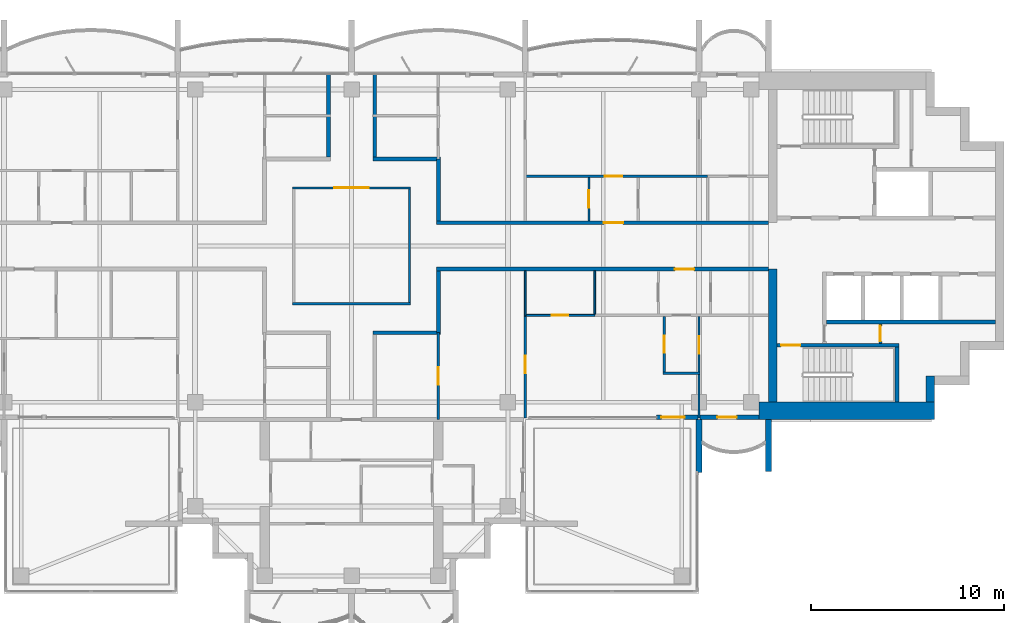
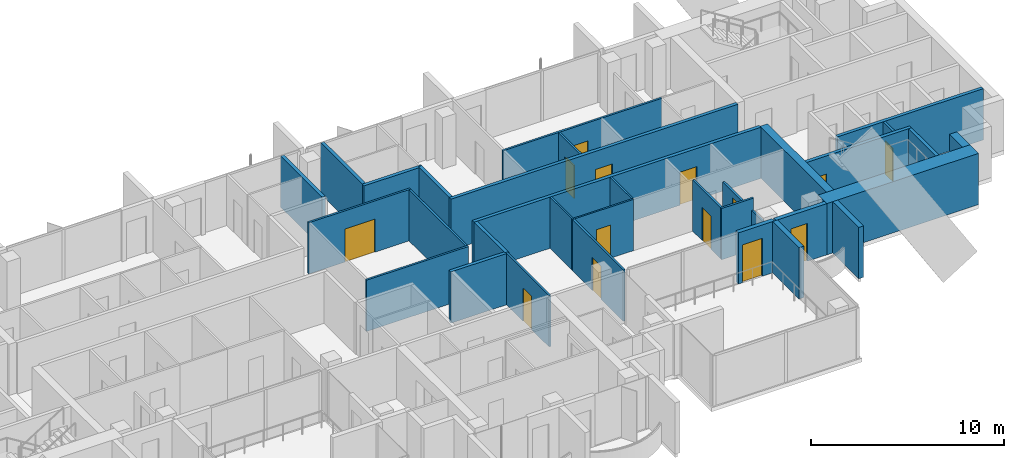
# One storey, part 10 of 16: 32 walls, 14 doors, 14 openings.
"""IFC4 building model written with IfcOpenShell, lengths in metres."""

from ifc_helpers import new_model, si_unit, direction, frame, frame_2d, origin, place, context, subcontext, project, spatial, rectangle, extrude, material, layer, layer_set, type_object, element, fill, save


model = new_model("IFC4")

# Units and contexts
model_context = context("Model", 3, precision=1e-05, world=origin(), true_north=direction((0.0, 1.0)))
body_context = subcontext(model_context, "Body", "Model", "MODEL_VIEW")
ifc_project = project(units=[si_unit("LENGTHUNIT", "METRE"), si_unit("AREAUNIT", "SQUARE_METRE"), si_unit("VOLUMEUNIT", "CUBIC_METRE"), si_unit("PLANEANGLEUNIT", "RADIAN"), si_unit("MASSUNIT", "GRAM", prefix="KILO")], contexts=[model_context])

# Site, building, storey
site_placement = place(None, origin())
site = spatial("IfcSite", under=ifc_project, at=site_placement, CompositionType="ELEMENT")
building_placement = place(site_placement, origin())
building = spatial("IfcBuilding", under=site, at=building_placement, Name="Perihelion Cross Residences", CompositionType="ELEMENT")
storey_placement = place(building_placement, frame((0.0, 0.0, 260.5)))
storey = spatial("IfcBuildingStorey", under=building, at=storey_placement, Name="L66", CompositionType="ELEMENT", Elevation=260.5)

# Wall, opening, door
ifc_material_1 = material(Name="Plasterboard partition")
ifc_layer_1 = layer(ifc_material_1, 0.199951171875)
ifc_layer_set_1 = layer_set([ifc_layer_1], Name="Apartment separation wall 200")
wall_type_1 = type_object("IfcWallType", Name="Apartment separation wall 200", PredefinedType="PARTITIONING", material=ifc_layer_set_1)
wall_1_placement = place(storey_placement, frame((4.39990234375, 1.199951171875, 0.0), z_axis=(0.0, 0.0, 1.0), x_axis=(1.0, 0.0, 0.0)))
wall_1 = element("IfcWall", 1, at=wall_1_placement, inside=storey, type_object=wall_type_1, Name="Partition L66 W005", PredefinedType="PARTITIONING", context=body_context, shape_type="SweptSolid", body=[
    extrude(rectangle(XDim=17.2001953125, YDim=0.199951171875, at=frame_2d((8.60009765625, 0.0))), origin(), (0.0, 0.0, 1.0), 3.25),
])
opening_1_placement = place(wall_1_placement, frame((8.675048828125, 0.0, 0.0)))
opening_1 = element("IfcOpeningElement", 2, at=opening_1_placement, cuts=wall_1, Name="Opening L66.A40", PredefinedType="OPENING", context=body_context, shape_type="SweptSolid", body=[
    extrude(rectangle(XDim=1.0, YDim=2.10009765625, at=frame_2d((0.5, 1.050048828125))), frame((0.0, 0.10986328125, 0.0), z_axis=(0.0, -1.0, 0.0), x_axis=(1.0, 0.0, 0.0)), (0.0, 0.0, 1.0), 0.219970703125),
])
ifc_material_2 = material(Name="Timber door leaf", Category="wood")
door_type_1 = type_object("IfcDoorType", Name="Flat entrance door 1000 x 2100", OperationType="SINGLE_SWING_LEFT", PredefinedType="DOOR", material=ifc_material_2)
door_1_placement = place(opening_1_placement, origin())
door_1 = element("IfcDoor", 3, at=door_1_placement, inside=storey, type_object=door_type_1, Name="Door L66.A40", OperationType="SINGLE_SWING_LEFT", OverallHeight=2.10009765625, OverallWidth=1.0, PredefinedType="DOOR", context=body_context, shape_type="SweptSolid", body=[
    extrude(rectangle(XDim=1.0, YDim=2.10009765625, at=frame_2d((0.5, 1.050048828125))), frame((0.0, 0.02490234375, 0.0), z_axis=(0.0, -1.0, 0.0), x_axis=(1.0, 0.0, 0.0)), (0.0, 0.0, 1.0), 0.050048828125),
])
fill(opening_1, door_1)

# Walls
wall_2_placement = place(storey_placement, frame((4.5, 4.5, 0.0), z_axis=(0.0, 0.0, 1.0), x_axis=(0.0, -1.0, 0.0)))
element("IfcWall", 4, at=wall_2_placement, inside=storey, type_object=wall_type_1, Name="Partition L66 W006", PredefinedType="PARTITIONING", context=body_context, shape_type="SweptSolid", body=[
    extrude(rectangle(XDim=3.199951171875, YDim=0.199951171875, at=frame_2d((1.60009765625, 0.0))), origin(), (0.0, 0.0, 1.0), 3.25),
])
wall_3_placement = place(storey_placement, frame((1.199951171875, 8.919921875, 0.0), z_axis=(0.0, 0.0, 1.0), x_axis=(0.0, -1.0, 0.0)))
element("IfcWall", 5, at=wall_3_placement, inside=storey, type_object=wall_type_1, Name="Partition L66 W007", PredefinedType="PARTITIONING", context=body_context, shape_type="SweptSolid", body=[
    extrude(rectangle(XDim=4.31982421875, YDim=0.199951171875, at=frame_2d((2.159912109375, 0.0))), origin(), (0.0, 0.0, 1.0), 3.25),
])
wall_4_placement = place(storey_placement, frame((1.10009765625, 4.5, 0.0), z_axis=(0.0, 0.0, 1.0), x_axis=(1.0, 0.0, 0.0)))
element("IfcWall", 6, at=wall_4_placement, inside=storey, type_object=wall_type_1, Name="Partition L66 W008", PredefinedType="PARTITIONING", context=body_context, shape_type="SweptSolid", body=[
    extrude(rectangle(XDim=3.5, YDim=0.199951171875, at=frame_2d((1.75, 0.0))), origin(), (0.0, 0.0, 1.0), 3.25),
])

# Wall, opening, door
wall_5_placement = place(storey_placement, frame((21.60009765625, -1.199951171875, 0.0), z_axis=(0.0, 0.0, 1.0), x_axis=(-1.0, 0.0, 0.0)))
wall_5 = element("IfcWall", 7, at=wall_5_placement, inside=storey, type_object=wall_type_1, Name="Partition L66 W009", PredefinedType="PARTITIONING", context=body_context, shape_type="SweptSolid", body=[
    extrude(rectangle(XDim=17.2001953125, YDim=0.199951171875, at=frame_2d((8.60009765625, 0.0))), origin(), (0.0, 0.0, 1.0), 3.25),
])
opening_2_placement = place(wall_5_placement, frame((3.85009765625, 0.0, 0.0)))
opening_2 = element("IfcOpeningElement", 8, at=opening_2_placement, cuts=wall_5, Name="Opening L66.A41", PredefinedType="OPENING", context=body_context, shape_type="SweptSolid", body=[
    extrude(rectangle(XDim=1.0, YDim=2.10009765625, at=frame_2d((0.5, 1.050048828125))), frame((0.0, 0.10986328125, 0.0), z_axis=(0.0, -1.0, 0.0), x_axis=(1.0, 0.0, 0.0)), (0.0, 0.0, 1.0), 0.219970703125),
])
door_2_placement = place(opening_2_placement, origin())
door_2 = element("IfcDoor", 9, at=door_2_placement, inside=storey, type_object=door_type_1, Name="Door L66.A41", OperationType="SINGLE_SWING_LEFT", OverallHeight=2.10009765625, OverallWidth=1.0, PredefinedType="DOOR", context=body_context, shape_type="SweptSolid", body=[
    extrude(rectangle(XDim=1.0, YDim=2.10009765625, at=frame_2d((0.5, 1.050048828125))), frame((0.0, 0.02490234375, 0.0), z_axis=(0.0, -1.0, 0.0), x_axis=(1.0, 0.0, 0.0)), (0.0, 0.0, 1.0), 0.050048828125),
])
fill(opening_2, door_2)

# Walls
wall_6_placement = place(storey_placement, frame((4.5, -1.300048828125, 0.0), z_axis=(0.0, 0.0, 1.0), x_axis=(0.0, -1.0, 0.0)))
element("IfcWall", 10, at=wall_6_placement, inside=storey, type_object=wall_type_1, Name="Partition L66 W010", PredefinedType="PARTITIONING", context=body_context, shape_type="SweptSolid", body=[
    extrude(rectangle(XDim=3.199951171875, YDim=0.199951171875, at=frame_2d((1.60009765625, 0.0))), origin(), (0.0, 0.0, 1.0), 3.25),
])
wall_7_placement = place(storey_placement, frame((4.60009765625, -4.5, 0.0), z_axis=(0.0, 0.0, 1.0), x_axis=(-1.0, 0.0, 0.0)))
element("IfcWall", 11, at=wall_7_placement, inside=storey, type_object=wall_type_1, Name="Partition L66 W011", PredefinedType="PARTITIONING", context=body_context, shape_type="SweptSolid", body=[
    extrude(rectangle(XDim=3.5, YDim=0.199951171875, at=frame_2d((1.75, 0.0))), origin(), (0.0, 0.0, 1.0), 3.25),
])
wall_8_placement = place(storey_placement, frame((-1.199951171875, 4.60009765625, 0.0), z_axis=(0.0, 0.0, 1.0), x_axis=(0.0, 1.0, 0.0)))
element("IfcWall", 12, at=wall_8_placement, inside=storey, type_object=wall_type_1, Name="Partition L66 W016", PredefinedType="PARTITIONING", context=body_context, shape_type="SweptSolid", body=[
    extrude(rectangle(XDim=4.31982421875, YDim=0.199951171875, at=frame_2d((2.159912109375, 0.0))), origin(), (0.0, 0.0, 1.0), 3.25),
])

# Wall, opening, door
ifc_material_3 = material(Name="Concrete C30/37, bronze-clad", Category="concrete")
ifc_layer_2 = layer(ifc_material_3, 0.25)
ifc_layer_set_2 = layer_set([ifc_layer_2], Name="Bronze-clad pier wall 250")
wall_type_2 = type_object("IfcWallType", Name="Bronze-clad pier wall 250", PredefinedType="SOLIDWALL", material=ifc_layer_set_2)
wall_9_placement = place(storey_placement, frame((15.800048828125, -8.875, 0.0), z_axis=(0.0, 0.0, 1.0), x_axis=(1.0, 0.0, 0.0)))
wall_9 = element("IfcWall", 13, at=wall_9_placement, inside=storey, type_object=wall_type_2, Name="Wall FW1 L66 east side south bay 1 pier", PredefinedType="SOLIDWALL", context=body_context, shape_type="SweptSolid", body=[
    extrude(rectangle(XDim=2.139892578125, YDim=0.25, at=frame_2d((1.06982421875, 0.0))), origin(), (0.0, 0.0, 1.0), 3.25),
])
opening_3_placement = place(wall_9_placement, frame((0.25, 0.0, 0.0)))
opening_3 = element("IfcOpeningElement", 14, at=opening_3_placement, cuts=wall_9, Name="Opening L66.E13", PredefinedType="OPENING", context=body_context, shape_type="SweptSolid", body=[
    extrude(rectangle(XDim=1.199951171875, YDim=2.39990234375, at=frame_2d((0.60009765625, 1.199951171875))), frame((0.0, 0.135009765625, 0.0), z_axis=(0.0, -1.0, 0.0), x_axis=(1.0, 0.0, 0.0)), (0.0, 0.0, 1.0), 0.27001953125),
])
ifc_material_4 = material(Name="Bronze anodised aluminium, glazed", Category="aluminium")
door_type_2 = type_object("IfcDoorType", Name="Balcony door 1200 x 2400", OperationType="NOTDEFINED", PredefinedType="DOOR", material=ifc_material_4)
door_3_placement = place(opening_3_placement, origin())
door_3 = element("IfcDoor", 15, at=door_3_placement, inside=storey, type_object=door_type_2, Name="Door L66.E13 east side south bay 1", OperationType="SINGLE_SWING_LEFT", OverallHeight=2.39990234375, OverallWidth=1.199951171875, PredefinedType="DOOR", context=body_context, shape_type="SweptSolid", body=[
    extrude(rectangle(XDim=1.199951171875, YDim=2.39990234375, at=frame_2d((0.60009765625, 1.199951171875))), frame((0.0, 0.02490234375, 0.0), z_axis=(0.0, -1.0, 0.0), x_axis=(1.0, 0.0, 0.0)), (0.0, 0.0, 1.0), 0.050048828125),
])
fill(opening_3, door_3)

wall_10_placement = place(storey_placement, frame((18.06005859375, -8.875, 0.0), z_axis=(0.0, 0.0, 1.0), x_axis=(1.0, 0.0, 0.0)))
wall_10 = element("IfcWall", 16, at=wall_10_placement, inside=storey, type_object=wall_type_2, Name="Wall FW1 L66 east side south bay 2 pier", PredefinedType="SOLIDWALL", context=body_context, shape_type="SweptSolid", body=[
    extrude(rectangle(XDim=3.0400390625, YDim=0.25, at=frame_2d((1.52001953125, 0.0))), origin(), (0.0, 0.0, 1.0), 3.25),
])
opening_4_placement = place(wall_10_placement, frame((0.889892578125, 0.0, 0.0)))
opening_4 = element("IfcOpeningElement", 17, at=opening_4_placement, cuts=wall_10, Name="Opening L66.E14", PredefinedType="OPENING", context=body_context, shape_type="SweptSolid", body=[
    extrude(rectangle(XDim=1.0, YDim=2.39990234375, at=frame_2d((0.5, 1.199951171875))), frame((0.0, 0.135009765625, 0.0), z_axis=(0.0, -1.0, 0.0), x_axis=(1.0, 0.0, 0.0)), (0.0, 0.0, 1.0), 0.27001953125),
])
ifc_material_5 = material(Name="Bronze anodised aluminium, glazed", Category="aluminium")
door_type_3 = type_object("IfcDoorType", Name="Balcony door 1000 x 2400", OperationType="NOTDEFINED", PredefinedType="DOOR", material=ifc_material_5)
door_4_placement = place(opening_4_placement, origin())
door_4 = element("IfcDoor", 18, at=door_4_placement, inside=storey, type_object=door_type_3, Name="Door L66.E14 east side south bay 2", OperationType="SINGLE_SWING_RIGHT", OverallHeight=2.39990234375, OverallWidth=1.0, PredefinedType="DOOR", context=body_context, shape_type="SweptSolid", body=[
    extrude(rectangle(XDim=1.0, YDim=2.39990234375, at=frame_2d((0.5, 1.199951171875))), frame((0.0, 0.02490234375, 0.0), z_axis=(0.0, -1.0, 0.0), x_axis=(1.0, 0.0, 0.0)), (0.0, 0.0, 1.0), 0.050048828125),
])
fill(opening_4, door_4)

# Walls
ifc_material_6 = material(Name="Concrete C60/75", Category="concrete")
ifc_layer_3 = layer(ifc_material_6, 0.449951171875)
ifc_layer_set_3 = layer_set([ifc_layer_3], Name="Core wall, inner 450")
wall_type_3 = type_object("IfcWallType", Name="Core wall, inner 450", PredefinedType="SHEAR", material=ifc_layer_set_3)
wall_11_placement = place(storey_placement, frame((21.824951171875, -8.10009765625, 0.0), z_axis=(0.0, 0.0, 1.0), x_axis=(0.0, 1.0, 0.0)))
element("IfcWall", 19, at=wall_11_placement, inside=storey, type_object=wall_type_3, Name="East core core wall, inner", PredefinedType="SHEAR", context=body_context, shape_type="SweptSolid", body=[
    extrude(rectangle(XDim=6.900146484375, YDim=0.449951171875, at=frame_2d((3.4501953125, 0.0))), origin(), (0.0, 0.0, 1.0), 3.25),
])
ifc_material_7 = material(Name="Concrete C60/75", Category="concrete")
ifc_layer_4 = layer(ifc_material_7, 0.449951171875)
ifc_layer_set_4 = layer_set([ifc_layer_4], Name="Core wall, outer 450")
wall_type_4 = type_object("IfcWallType", Name="Core wall, outer 450", PredefinedType="SHEAR", material=ifc_layer_set_4)
wall_12_placement = place(storey_placement, frame((29.97509765625, -8.10009765625, 0.0), z_axis=(0.0, 0.0, 1.0), x_axis=(0.0, 1.0, 0.0)))
element("IfcWall", 20, at=wall_12_placement, inside=storey, type_object=wall_type_4, Name="East core core wall, outer", PredefinedType="SHEAR", context=body_context, shape_type="SweptSolid", body=[
    extrude(rectangle(XDim=1.35009765625, YDim=0.449951171875, at=frame_2d((0.675048828125, 0.0))), origin(), (0.0, 0.0, 1.0), 3.25),
])
ifc_material_8 = material(Name="Concrete C60/75", Category="concrete")
ifc_layer_5 = layer(ifc_material_8, 0.89990234375)
ifc_layer_set_5 = layer_set([ifc_layer_5], Name="Core wall, outer 900")
wall_type_5 = type_object("IfcWallType", Name="Core wall, outer 900", PredefinedType="SHEAR", material=ifc_layer_set_5)
wall_13_placement = place(storey_placement, frame((21.10009765625, -8.550048828125, 0.0), z_axis=(0.0, 0.0, 1.0), x_axis=(1.0, 0.0, 0.0)))
element("IfcWall", 21, at=wall_13_placement, inside=storey, type_object=wall_type_5, Name="East core core wall, outer", PredefinedType="SHEAR", context=body_context, shape_type="SweptSolid", body=[
    extrude(rectangle(XDim=9.099853515625, YDim=0.89990234375, at=frame_2d((4.5498046875, 0.0))), origin(), (0.0, 0.0, 1.0), 3.25),
])
ifc_material_9 = material(Name="Plasterboard partition")
ifc_layer_6 = layer(ifc_material_9, 0.1201171875)
ifc_layer_set_6 = layer_set([ifc_layer_6], Name="Partition wall 120")
wall_type_6 = type_object("IfcWallType", Name="Partition wall 120", PredefinedType="PARTITIONING", material=ifc_layer_set_6)
wall_14_placement = place(storey_placement, frame((-3.06005859375, -3.0, 0.0), z_axis=(0.0, 0.0, 1.0), x_axis=(1.0, 0.0, 0.0)))
element("IfcWall", 22, at=wall_14_placement, inside=storey, type_object=wall_type_6, Name="Partition L66 W001", PredefinedType="PARTITIONING", context=body_context, shape_type="SweptSolid", body=[
    extrude(rectangle(XDim=6.1201171875, YDim=0.1201171875, at=frame_2d((3.06005859375, 0.0))), origin(), (0.0, 0.0, 1.0), 3.25),
])
wall_15_placement = place(storey_placement, frame((3.0, -2.93994140625, 0.0), z_axis=(0.0, 0.0, 1.0), x_axis=(0.0, 1.0, 0.0)))
element("IfcWall", 23, at=wall_15_placement, inside=storey, type_object=wall_type_6, Name="Partition L66 W002", PredefinedType="PARTITIONING", context=body_context, shape_type="SweptSolid", body=[
    extrude(rectangle(XDim=5.8798828125, YDim=0.1201171875, at=frame_2d((2.93994140625, 0.0))), origin(), (0.0, 0.0, 1.0), 3.25),
])

# Wall, opening, door
wall_16_placement = place(storey_placement, frame((3.06005859375, 3.0, 0.0), z_axis=(0.0, 0.0, 1.0), x_axis=(-1.0, 0.0, 0.0)))
wall_16 = element("IfcWall", 24, at=wall_16_placement, inside=storey, type_object=wall_type_6, Name="Partition L66 W003", PredefinedType="PARTITIONING", context=body_context, shape_type="SweptSolid", body=[
    extrude(rectangle(XDim=6.1201171875, YDim=0.1201171875, at=frame_2d((3.06005859375, 0.0))), origin(), (0.0, 0.0, 1.0), 3.25),
])
opening_5_placement = place(wall_16_placement, frame((2.159912109375, 0.0, 0.0)))
opening_5 = element("IfcOpeningElement", 25, at=opening_5_placement, cuts=wall_16, Name="Opening L66.A01", PredefinedType="OPENING", context=body_context, shape_type="SweptSolid", body=[
    extrude(rectangle(XDim=1.800048828125, YDim=2.10009765625, at=frame_2d((0.89990234375, 1.050048828125))), frame((0.0, 0.070068359375, 0.0), z_axis=(0.0, -1.0, 0.0), x_axis=(1.0, 0.0, 0.0)), (0.0, 0.0, 1.0), 0.14013671875),
])
ifc_material_10 = material(Name="Glazed timber door leaf", Category="wood")
door_type_4 = type_object("IfcDoorType", Name="Interior double leaf door 1800 x 2100", OperationType="DOUBLE_DOOR_SINGLE_SWING", PredefinedType="DOOR", material=ifc_material_10)
door_5_placement = place(opening_5_placement, origin())
door_5 = element("IfcDoor", 26, at=door_5_placement, inside=storey, type_object=door_type_4, Name="Door L66.A01", OperationType="SINGLE_SWING_LEFT", OverallHeight=2.10009765625, OverallWidth=1.800048828125, PredefinedType="DOOR", context=body_context, shape_type="SweptSolid", body=[
    extrude(rectangle(XDim=1.800048828125, YDim=2.10009765625, at=frame_2d((0.89990234375, 1.050048828125))), frame((0.0, 0.02490234375, 0.0), z_axis=(0.0, -1.0, 0.0), x_axis=(1.0, 0.0, 0.0)), (0.0, 0.0, 1.0), 0.050048828125),
])
fill(opening_5, door_5)

wall_17_placement = place(storey_placement, frame((12.300048828125, 3.5400390625, 0.0), z_axis=(0.0, 0.0, 1.0), x_axis=(0.0, -1.0, 0.0)))
wall_17 = element("IfcWall", 27, at=wall_17_placement, inside=storey, type_object=wall_type_6, Name="Partition L66 W022", PredefinedType="PARTITIONING", context=body_context, shape_type="SweptSolid", body=[
    extrude(rectangle(XDim=2.239990234375, YDim=0.1201171875, at=frame_2d((1.1201171875, 0.0))), origin(), (0.0, 0.0, 1.0), 3.25),
])
opening_6_placement = place(wall_17_placement, frame((0.669921875, 0.0, 0.0)))
opening_6 = element("IfcOpeningElement", 28, at=opening_6_placement, cuts=wall_17, Name="Opening L66.A05", PredefinedType="OPENING", context=body_context, shape_type="SweptSolid", body=[
    extrude(rectangle(XDim=0.89990234375, YDim=2.10009765625, at=frame_2d((0.449951171875, 1.050048828125))), frame((0.0, 0.070068359375, 0.0), z_axis=(0.0, -1.0, 0.0), x_axis=(1.0, 0.0, 0.0)), (0.0, 0.0, 1.0), 0.14013671875),
])
ifc_material_11 = material(Name="Timber door leaf", Category="wood")
door_type_5 = type_object("IfcDoorType", Name="Interior room door 900 x 2100", OperationType="SINGLE_SWING_LEFT", PredefinedType="DOOR", material=ifc_material_11)
door_6_placement = place(opening_6_placement, origin())
door_6 = element("IfcDoor", 29, at=door_6_placement, inside=storey, type_object=door_type_5, Name="Door L66.A05", OperationType="SINGLE_SWING_RIGHT", OverallHeight=2.10009765625, OverallWidth=0.89990234375, PredefinedType="DOOR", context=body_context, shape_type="SweptSolid", body=[
    extrude(rectangle(XDim=0.89990234375, YDim=2.10009765625, at=frame_2d((0.449951171875, 1.050048828125))), frame((0.0, 0.02490234375, 0.0), z_axis=(0.0, -1.0, 0.0), x_axis=(1.0, 0.0, 0.0)), (0.0, 0.0, 1.0), 0.050048828125),
])
fill(opening_6, door_6)

wall_18_placement = place(storey_placement, frame((8.93994140625, 3.60009765625, 0.0), z_axis=(0.0, 0.0, 1.0), x_axis=(1.0, 0.0, 0.0)))
wall_18 = element("IfcWall", 30, at=wall_18_placement, inside=storey, type_object=wall_type_6, Name="Partition L66 W023", PredefinedType="PARTITIONING", context=body_context, shape_type="SweptSolid", body=[
    extrude(rectangle(XDim=9.510009765625, YDim=0.1201171875, at=frame_2d((4.7548828125, 0.0))), origin(), (0.0, 0.0, 1.0), 3.25),
])
opening_7_placement = place(wall_18_placement, frame((4.18505859375, 0.0, 0.0)))
opening_7 = element("IfcOpeningElement", 31, at=opening_7_placement, cuts=wall_18, Name="Opening L66.A07", PredefinedType="OPENING", context=body_context, shape_type="SweptSolid", body=[
    extrude(rectangle(XDim=0.89990234375, YDim=2.10009765625, at=frame_2d((0.449951171875, 1.050048828125))), frame((0.0, 0.070068359375, 0.0), z_axis=(0.0, -1.0, 0.0), x_axis=(1.0, 0.0, 0.0)), (0.0, 0.0, 1.0), 0.14013671875),
])
door_7_placement = place(opening_7_placement, origin())
door_7 = element("IfcDoor", 32, at=door_7_placement, inside=storey, type_object=door_type_5, Name="Door L66.A07", OperationType="SINGLE_SWING_RIGHT", OverallHeight=2.10009765625, OverallWidth=0.89990234375, PredefinedType="DOOR", context=body_context, shape_type="SweptSolid", body=[
    extrude(rectangle(XDim=0.89990234375, YDim=2.10009765625, at=frame_2d((0.449951171875, 1.050048828125))), frame((0.0, 0.02490234375, 0.0), z_axis=(0.0, -1.0, 0.0), x_axis=(1.0, 0.0, 0.0)), (0.0, 0.0, 1.0), 0.050048828125),
])
fill(opening_7, door_7)

wall_19_placement = place(storey_placement, frame((16.199951171875, -3.659912109375, 0.0), z_axis=(0.0, 0.0, 1.0), x_axis=(0.0, -1.0, 0.0)))
wall_19 = element("IfcWall", 33, at=wall_19_placement, inside=storey, type_object=wall_type_6, Name="Partition L66 W038", PredefinedType="PARTITIONING", context=body_context, shape_type="SweptSolid", body=[
    extrude(rectangle(XDim=2.880126953125, YDim=0.1201171875, at=frame_2d((1.43994140625, 0.0))), origin(), (0.0, 0.0, 1.0), 3.25),
])
opening_8_placement = place(wall_19_placement, frame((0.989990234375, 0.0, 0.0)))
opening_8 = element("IfcOpeningElement", 34, at=opening_8_placement, cuts=wall_19, Name="Opening L66.A14", PredefinedType="OPENING", context=body_context, shape_type="SweptSolid", body=[
    extrude(rectangle(XDim=0.89990234375, YDim=2.10009765625, at=frame_2d((0.449951171875, 1.050048828125))), frame((0.0, 0.070068359375, 0.0), z_axis=(0.0, -1.0, 0.0), x_axis=(1.0, 0.0, 0.0)), (0.0, 0.0, 1.0), 0.14013671875),
])
door_8_placement = place(opening_8_placement, origin())
door_8 = element("IfcDoor", 35, at=door_8_placement, inside=storey, type_object=door_type_5, Name="Door L66.A14", OperationType="SINGLE_SWING_LEFT", OverallHeight=2.10009765625, OverallWidth=0.89990234375, PredefinedType="DOOR", context=body_context, shape_type="SweptSolid", body=[
    extrude(rectangle(XDim=0.89990234375, YDim=2.10009765625, at=frame_2d((0.449951171875, 1.050048828125))), frame((0.0, 0.02490234375, 0.0), z_axis=(0.0, -1.0, 0.0), x_axis=(1.0, 0.0, 0.0)), (0.0, 0.0, 1.0), 0.050048828125),
])
fill(opening_8, door_8)

# Wall
wall_20_placement = place(storey_placement, frame((16.139892578125, -6.60009765625, 0.0), z_axis=(0.0, 0.0, 1.0), x_axis=(1.0, 0.0, 0.0)))
element("IfcWall", 36, at=wall_20_placement, inside=storey, type_object=wall_type_6, Name="Partition L66 W039", PredefinedType="PARTITIONING", context=body_context, shape_type="SweptSolid", body=[
    extrude(rectangle(XDim=1.920166015625, YDim=0.1201171875, at=frame_2d((0.9599609375, 0.0))), origin(), (0.0, 0.0, 1.0), 3.25),
])

# Wall, opening, door
wall_21_placement = place(storey_placement, frame((18.0, -3.659912109375, 0.0), z_axis=(0.0, 0.0, 1.0), x_axis=(0.0, -1.0, 0.0)))
wall_21 = element("IfcWall", 37, at=wall_21_placement, inside=storey, type_object=wall_type_6, Name="Partition L66 W040", PredefinedType="PARTITIONING", context=body_context, shape_type="SweptSolid", body=[
    extrude(rectangle(XDim=5.260009765625, YDim=0.1201171875, at=frame_2d((2.6298828125, 0.0))), origin(), (0.0, 0.0, 1.0), 2.49609375),
])
opening_9_placement = place(wall_21_placement, frame((1.02001953125, 0.0, 0.0)))
opening_9 = element("IfcOpeningElement", 38, at=opening_9_placement, cuts=wall_21, Name="Opening L66.A16", PredefinedType="OPENING", context=body_context, shape_type="SweptSolid", body=[
    extrude(rectangle(XDim=0.89990234375, YDim=2.10009765625, at=frame_2d((0.449951171875, 1.050048828125))), frame((0.0, 0.070068359375, 0.0), z_axis=(0.0, -1.0, 0.0), x_axis=(1.0, 0.0, 0.0)), (0.0, 0.0, 1.0), 0.14013671875),
])
door_9_placement = place(opening_9_placement, origin())
door_9 = element("IfcDoor", 39, at=door_9_placement, inside=storey, type_object=door_type_5, Name="Door L66.A16", OperationType="SINGLE_SWING_RIGHT", OverallHeight=2.10009765625, OverallWidth=0.89990234375, PredefinedType="DOOR", context=body_context, shape_type="SweptSolid", body=[
    extrude(rectangle(XDim=0.89990234375, YDim=2.10009765625, at=frame_2d((0.449951171875, 1.050048828125))), frame((0.0, 0.02490234375, 0.0), z_axis=(0.0, -1.0, 0.0), x_axis=(1.0, 0.0, 0.0)), (0.0, 0.0, 1.0), 0.050048828125),
])
fill(opening_9, door_9)

wall_22_placement = place(storey_placement, frame((9.0, -8.919921875, 0.0), z_axis=(0.0, 0.0, 1.0), x_axis=(0.0, 1.0, 0.0)))
wall_22 = element("IfcWall", 40, at=wall_22_placement, inside=storey, type_object=wall_type_6, Name="Partition L66 W041", PredefinedType="PARTITIONING", context=body_context, shape_type="SweptSolid", body=[
    extrude(rectangle(XDim=5.31982421875, YDim=0.1201171875, at=frame_2d((2.659912109375, 0.0))), origin(), (0.0, 0.0, 1.0), 3.25),
])
opening_10_placement = place(wall_22_placement, frame((2.320068359375, 0.0, 0.0)))
opening_10 = element("IfcOpeningElement", 41, at=opening_10_placement, cuts=wall_22, Name="Opening L66.A13", PredefinedType="OPENING", context=body_context, shape_type="SweptSolid", body=[
    extrude(rectangle(XDim=0.89990234375, YDim=2.10009765625, at=frame_2d((0.449951171875, 1.050048828125))), frame((0.0, 0.070068359375, 0.0), z_axis=(0.0, -1.0, 0.0), x_axis=(1.0, 0.0, 0.0)), (0.0, 0.0, 1.0), 0.14013671875),
])
door_10_placement = place(opening_10_placement, origin())
door_10 = element("IfcDoor", 42, at=door_10_placement, inside=storey, type_object=door_type_5, Name="Door L66.A13", OperationType="SINGLE_SWING_LEFT", OverallHeight=2.10009765625, OverallWidth=0.89990234375, PredefinedType="DOOR", context=body_context, shape_type="SweptSolid", body=[
    extrude(rectangle(XDim=0.89990234375, YDim=2.10009765625, at=frame_2d((0.449951171875, 1.050048828125))), frame((0.0, 0.02490234375, 0.0), z_axis=(0.0, -1.0, 0.0), x_axis=(1.0, 0.0, 0.0)), (0.0, 0.0, 1.0), 0.050048828125),
])
fill(opening_10, door_10)

wall_23_placement = place(storey_placement, frame((4.5, -9.0, 0.0), z_axis=(0.0, 0.0, 1.0), x_axis=(0.0, 1.0, 0.0)))
wall_23 = element("IfcWall", 43, at=wall_23_placement, inside=storey, type_object=wall_type_6, Name="Partition L66 W042", PredefinedType="PARTITIONING", context=body_context, shape_type="SweptSolid", body=[
    extrude(rectangle(XDim=4.5, YDim=0.1201171875, at=frame_2d((2.25, 0.0))), origin(), (0.0, 0.0, 1.0), 3.25),
])
opening_11_placement = place(wall_23_placement, frame((1.800048828125, 0.0, 0.0)))
opening_11 = element("IfcOpeningElement", 44, at=opening_11_placement, cuts=wall_23, Name="Opening L66.A15", PredefinedType="OPENING", context=body_context, shape_type="SweptSolid", body=[
    extrude(rectangle(XDim=0.89990234375, YDim=2.10009765625, at=frame_2d((0.449951171875, 1.050048828125))), frame((0.0, 0.070068359375, 0.0), z_axis=(0.0, -1.0, 0.0), x_axis=(1.0, 0.0, 0.0)), (0.0, 0.0, 1.0), 0.14013671875),
])
door_11_placement = place(opening_11_placement, origin())
door_11 = element("IfcDoor", 45, at=door_11_placement, inside=storey, type_object=door_type_5, Name="Door L66.A15", OperationType="SINGLE_SWING_RIGHT", OverallHeight=2.10009765625, OverallWidth=0.89990234375, PredefinedType="DOOR", context=body_context, shape_type="SweptSolid", body=[
    extrude(rectangle(XDim=0.89990234375, YDim=2.10009765625, at=frame_2d((0.449951171875, 1.050048828125))), frame((0.0, 0.02490234375, 0.0), z_axis=(0.0, -1.0, 0.0), x_axis=(1.0, 0.0, 0.0)), (0.0, 0.0, 1.0), 0.050048828125),
])
fill(opening_11, door_11)

# Walls
ifc_material_12 = material(Name="Precast concrete C50/60", Category="concrete")
ifc_layer_7 = layer(ifc_material_12, 0.300048828125)
ifc_layer_set_7 = layer_set([ifc_layer_7], Name="Precast concrete C50/60 blade wall 300")
wall_type_7 = type_object("IfcWallType", Name="Precast concrete C50/60 blade wall 300", PredefinedType="SOLIDWALL", material=ifc_layer_set_7)
wall_24_placement = place(storey_placement, frame((18.0, -9.0, 0.0), z_axis=(0.0, 0.0, 1.0), x_axis=(0.0, -1.0, 0.0)))
element("IfcWall", 46, at=wall_24_placement, inside=storey, type_object=wall_type_7, Name="Wall BL1 L66 no. 10", PredefinedType="SOLIDWALL", context=body_context, shape_type="SweptSolid", body=[
    extrude(rectangle(XDim=2.739990234375, YDim=0.300048828125, at=frame_2d((1.3701171875, 0.0))), origin(), (0.0, 0.0, 1.0), 3.25),
])
wall_25_placement = place(storey_placement, frame((21.60009765625, -9.0, 0.0), z_axis=(0.0, 0.0, 1.0), x_axis=(0.0, -1.0, 0.0)))
element("IfcWall", 47, at=wall_25_placement, inside=storey, type_object=wall_type_7, Name="Wall BL1 L66 no. 12", PredefinedType="SOLIDWALL", context=body_context, shape_type="SweptSolid", body=[
    extrude(rectangle(XDim=2.699951171875, YDim=0.300048828125, at=frame_2d((1.35009765625, 0.0))), origin(), (0.0, 0.0, 1.0), 3.25),
])

# Wall, opening, door
ifc_material_13 = material(Name="Fire-rated board on steel stud", Category="steel")
ifc_layer_8 = layer(ifc_material_13, 0.14990234375)
ifc_layer_set_8 = layer_set([ifc_layer_8], Name="Riser wall 150")
wall_type_8 = type_object("IfcWallType", Name="Riser wall 150", PredefinedType="PARTITIONING", material=ifc_layer_set_8)
wall_26_placement = place(storey_placement, frame((27.39990234375, -5.050048828125, 0.0), z_axis=(0.0, 0.0, 1.0), x_axis=(0.0, 1.0, 0.0)))
wall_26 = element("IfcWall", 48, at=wall_26_placement, inside=storey, type_object=wall_type_8, Name="East core riser wall", PredefinedType="PARTITIONING", context=body_context, shape_type="SweptSolid", body=[
    extrude(rectangle(XDim=1.0, YDim=0.14990234375, at=frame_2d((0.5, 0.0))), origin(), (0.0, 0.0, 1.0), 3.25),
])
opening_12_placement = place(wall_26_placement, frame((0.10009765625, 0.0, 0.0)))
opening_12 = element("IfcOpeningElement", 49, at=opening_12_placement, cuts=wall_26, Name="Opening L66.C11", PredefinedType="OPENING", context=body_context, shape_type="SweptSolid", body=[
    extrude(rectangle(XDim=0.800048828125, YDim=2.10009765625, at=frame_2d((0.39990234375, 1.050048828125))), frame((0.0, 0.0849609375, 0.0), z_axis=(0.0, -1.0, 0.0), x_axis=(1.0, 0.0, 0.0)), (0.0, 0.0, 1.0), 0.169921875),
])
ifc_material_14 = material(Name="Steel, powder coated", Category="steel")
door_type_6 = type_object("IfcDoorType", Name="Riser door 800", OperationType="SINGLE_SWING_LEFT", PredefinedType="DOOR", material=ifc_material_14)
door_12_placement = place(opening_12_placement, origin())
door_12 = element("IfcDoor", 50, at=door_12_placement, inside=storey, type_object=door_type_6, Name="East core riser door", OperationType="SINGLE_SWING_LEFT", OverallHeight=2.10009765625, OverallWidth=0.800048828125, PredefinedType="DOOR", context=body_context, shape_type="SweptSolid", body=[
    extrude(rectangle(XDim=0.800048828125, YDim=2.10009765625, at=frame_2d((0.39990234375, 1.050048828125))), frame((0.0, 0.02490234375, 0.0), z_axis=(0.0, -1.0, 0.0), x_axis=(1.0, 0.0, 0.0)), (0.0, 0.0, 1.0), 0.050048828125),
])
fill(opening_12, door_12)

# Wall
ifc_material_15 = material(Name="Concrete C50/60", Category="concrete")
ifc_layer_9 = layer(ifc_material_15, 0.199951171875)
ifc_layer_set_9 = layer_set([ifc_layer_9], Name="Shaft wall 200")
wall_type_9 = type_object("IfcWallType", Name="Shaft wall 200", PredefinedType="SOLIDWALL", material=ifc_layer_set_9)
wall_27_placement = place(storey_placement, frame((24.60009765625, -3.949951171875, 0.0), z_axis=(0.0, 0.0, 1.0), x_axis=(1.0, 0.0, 0.0)))
element("IfcWall", 51, at=wall_27_placement, inside=storey, type_object=wall_type_9, Name="East core shaft wall", PredefinedType="SOLIDWALL", context=body_context, shape_type="SweptSolid", body=[
    extrude(rectangle(XDim=8.75, YDim=0.199951171875, at=frame_2d((4.375, 0.0))), origin(), (0.0, 0.0, 1.0), 3.25),
])

# Wall, opening, door
ifc_material_16 = material(Name="Concrete C50/60", Category="concrete")
ifc_layer_10 = layer(ifc_material_16, 0.199951171875)
ifc_layer_set_10 = layer_set([ifc_layer_10], Name="Stair wall 200")
wall_type_10 = type_object("IfcWallType", Name="Stair wall 200", PredefinedType="SOLIDWALL", material=ifc_layer_set_10)
wall_28_placement = place(storey_placement, frame((22.050048828125, -5.14990234375, 0.0), z_axis=(0.0, 0.0, 1.0), x_axis=(1.0, 0.0, 0.0)))
wall_28 = element("IfcWall", 52, at=wall_28_placement, inside=storey, type_object=wall_type_10, Name="East core stair wall", PredefinedType="SOLIDWALL", context=body_context, shape_type="SweptSolid", body=[
    extrude(rectangle(XDim=6.300048828125, YDim=0.199951171875, at=frame_2d((3.14990234375, 0.0))), origin(), (0.0, 0.0, 1.0), 3.25),
])
opening_13_placement = place(wall_28_placement, frame((0.199951171875, 0.0, 0.0)))
opening_13 = element("IfcOpeningElement", 53, at=opening_13_placement, cuts=wall_28, Name="Opening L66.C05", PredefinedType="OPENING", context=body_context, shape_type="SweptSolid", body=[
    extrude(rectangle(XDim=1.0, YDim=2.10009765625, at=frame_2d((0.5, 1.050048828125))), frame((0.0, 0.10986328125, 0.0), z_axis=(0.0, -1.0, 0.0), x_axis=(1.0, 0.0, 0.0)), (0.0, 0.0, 1.0), 0.219970703125),
])
ifc_material_17 = material(Name="Steel, powder coated", Category="steel")
door_type_7 = type_object("IfcDoorType", Name="Stair door 1000", OperationType="SINGLE_SWING_LEFT", PredefinedType="DOOR", material=ifc_material_17)
door_13_placement = place(opening_13_placement, origin())
door_13 = element("IfcDoor", 54, at=door_13_placement, inside=storey, type_object=door_type_7, Name="East core stair door", OperationType="SINGLE_SWING_LEFT", OverallHeight=2.10009765625, OverallWidth=1.0, PredefinedType="DOOR", context=body_context, shape_type="SweptSolid", body=[
    extrude(rectangle(XDim=1.0, YDim=2.10009765625, at=frame_2d((0.5, 1.050048828125))), frame((0.0, 0.02490234375, 0.0), z_axis=(0.0, -1.0, 0.0), x_axis=(1.0, 0.0, 0.0)), (0.0, 0.0, 1.0), 0.050048828125),
])
fill(opening_13, door_13)

# Walls
wall_29_placement = place(storey_placement, frame((28.25, -8.10009765625, 0.0), z_axis=(0.0, 0.0, 1.0), x_axis=(0.0, 1.0, 0.0)))
element("IfcWall", 55, at=wall_29_placement, inside=storey, type_object=wall_type_10, Name="East core stair wall", PredefinedType="SOLIDWALL", context=body_context, shape_type="SweptSolid", body=[
    extrude(rectangle(XDim=2.85009765625, YDim=0.199951171875, at=frame_2d((1.425048828125, 0.0))), origin(), (0.0, 0.0, 1.0), 3.25),
])
ifc_material_18 = material(Name="Plasterboard partition")
ifc_layer_11 = layer(ifc_material_18, 0.10009765625)
ifc_layer_set_11 = layer_set([ifc_layer_11], Name="Wet room wall 100")
wall_type_11 = type_object("IfcWallType", Name="Wet room wall 100", PredefinedType="PARTITIONING", material=ifc_layer_set_11)
wall_30_placement = place(storey_placement, frame((12.60009765625, -1.300048828125, 0.0), z_axis=(0.0, 0.0, 1.0), x_axis=(0.0, -1.0, 0.0)))
element("IfcWall", 56, at=wall_30_placement, inside=storey, type_object=wall_type_11, Name="Partition L66 W032", PredefinedType="PARTITIONING", context=body_context, shape_type="SweptSolid", body=[
    extrude(rectangle(XDim=2.239990234375, YDim=0.10009765625, at=frame_2d((1.1201171875, 0.0))), origin(), (0.0, 0.0, 1.0), 3.25),
])

# Wall, opening, door
wall_31_placement = place(storey_placement, frame((12.60009765625, -3.60009765625, 0.0), z_axis=(0.0, 0.0, 1.0), x_axis=(-1.0, 0.0, 0.0)))
wall_31 = element("IfcWall", 57, at=wall_31_placement, inside=storey, type_object=wall_type_11, Name="Partition L66 W033", PredefinedType="PARTITIONING", context=body_context, shape_type="SweptSolid", body=[
    extrude(rectangle(XDim=3.66015625, YDim=0.10009765625, at=frame_2d((1.830078125, 0.0))), origin(), (0.0, 0.0, 1.0), 3.25),
])
opening_14_placement = place(wall_31_placement, frame((1.375, 0.0, 0.0)))
opening_14 = element("IfcOpeningElement", 58, at=opening_14_placement, cuts=wall_31, Name="Opening L66.A17", PredefinedType="OPENING", context=body_context, shape_type="SweptSolid", body=[
    extrude(rectangle(XDim=0.85009765625, YDim=2.10009765625, at=frame_2d((0.425048828125, 1.050048828125))), frame((0.0, 0.06005859375, 0.0), z_axis=(0.0, -1.0, 0.0), x_axis=(1.0, 0.0, 0.0)), (0.0, 0.0, 1.0), 0.1201171875),
])
ifc_material_19 = material(Name="Timber door leaf", Category="wood")
door_type_8 = type_object("IfcDoorType", Name="Interior bathroom door 850 x 2100", OperationType="SINGLE_SWING_LEFT", PredefinedType="DOOR", material=ifc_material_19)
door_14_placement = place(opening_14_placement, origin())
door_14 = element("IfcDoor", 59, at=door_14_placement, inside=storey, type_object=door_type_8, Name="Door L66.A17", OperationType="SINGLE_SWING_LEFT", OverallHeight=2.10009765625, OverallWidth=0.85009765625, PredefinedType="DOOR", context=body_context, shape_type="SweptSolid", body=[
    extrude(rectangle(XDim=0.85009765625, YDim=2.10009765625, at=frame_2d((0.425048828125, 1.050048828125))), frame((0.0, 0.02490234375, 0.0), z_axis=(0.0, -1.0, 0.0), x_axis=(1.0, 0.0, 0.0)), (0.0, 0.0, 1.0), 0.050048828125),
])
fill(opening_14, door_14)

# Wall
wall_32_placement = place(storey_placement, frame((9.0, -3.60009765625, 0.0), z_axis=(0.0, 0.0, 1.0), x_axis=(0.0, 1.0, 0.0)))
element("IfcWall", 60, at=wall_32_placement, inside=storey, type_object=wall_type_11, Name="Partition L66 W034", PredefinedType="PARTITIONING", context=body_context, shape_type="SweptSolid", body=[
    extrude(rectangle(XDim=2.300048828125, YDim=0.10009765625, at=frame_2d((1.14990234375, 0.0))), origin(), (0.0, 0.0, 1.0), 3.25),
])

save(model, "model.ifc")
